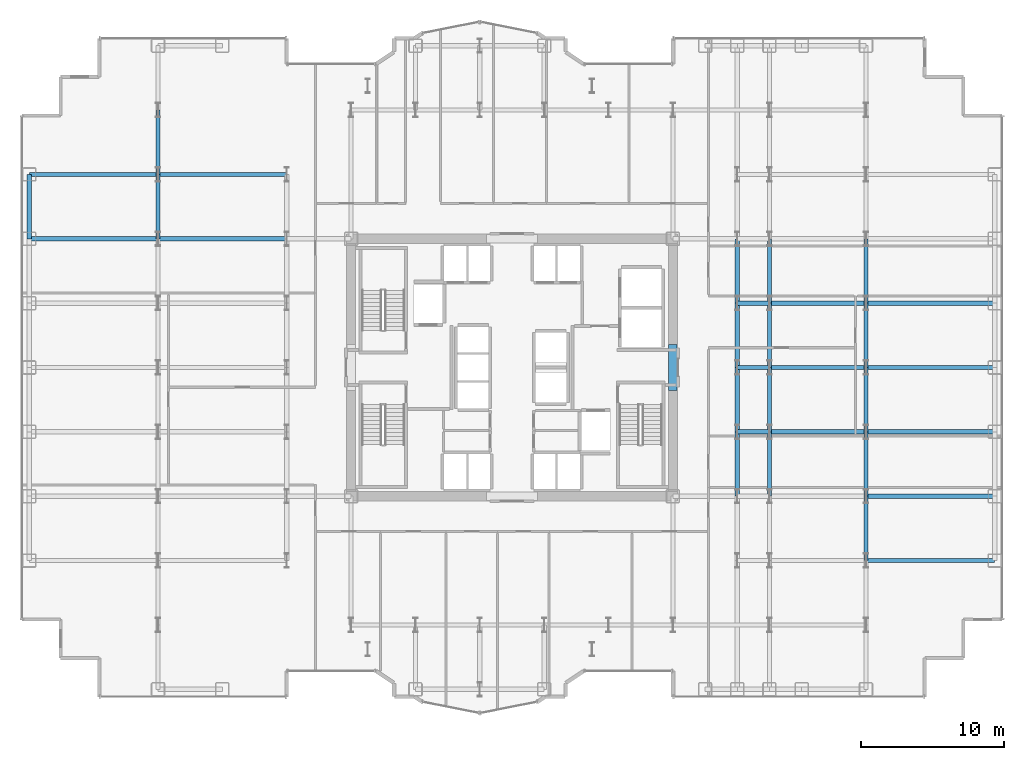
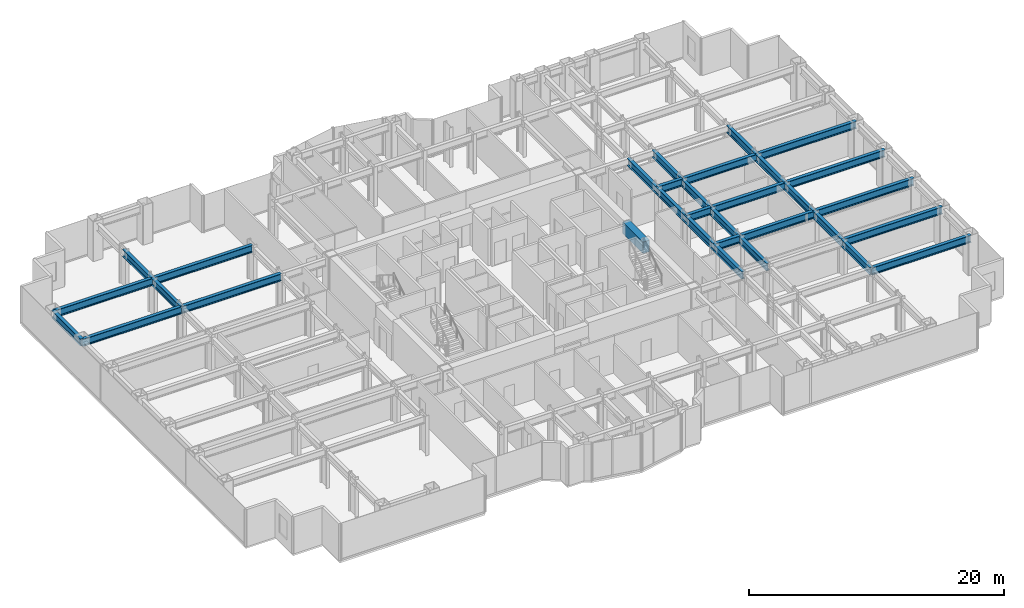
# One storey, part 8 of 26: 32 beams.
"""IFC4 building model written with IfcOpenShell, lengths in metres."""

from ifc_helpers import new_model, si_unit, direction, frame, origin, origin_2d, place, context, subcontext, project, spatial, rectangle, i_section, extrude, source, transform, mapped, material, material_profile, profile_set, type_object, element, save


model = new_model("IFC4")

# Units and contexts
model_context = context("Model", 3, precision=1e-05, world=origin(), true_north=direction((0.0, 1.0)))
body_context = subcontext(model_context, "Body", "Model", "MODEL_VIEW")
ifc_project = project(units=[si_unit("LENGTHUNIT", "METRE"), si_unit("AREAUNIT", "SQUARE_METRE"), si_unit("VOLUMEUNIT", "CUBIC_METRE"), si_unit("PLANEANGLEUNIT", "RADIAN"), si_unit("MASSUNIT", "GRAM", prefix="KILO")], contexts=[model_context])

# Site, building, storey
site_placement = place(None, origin())
site = spatial("IfcSite", under=ifc_project, at=site_placement, CompositionType="ELEMENT")
building_placement = place(site_placement, origin())
building = spatial("IfcBuilding", under=site, at=building_placement, Name="Nefas-Gora Pilgrimage Tower", CompositionType="ELEMENT")
storey_placement = place(building_placement, frame((0.0, 0.0, 40.60009765625)))
storey = spatial("IfcBuildingStorey", under=building, at=storey_placement, Name="L08", CompositionType="ELEMENT", Elevation=40.60009765625)

# Beams
ifc_material_1 = material(Name="Concrete C60/75", Category="concrete")
ifc_material_profile_1 = material_profile(ifc_material_1, rectangle(XDim=0.60009765625, YDim=1.10009765625, at=origin_2d()), Name="RC 600x1100")
ifc_profile_set_1 = profile_set([ifc_material_profile_1], Name="Concrete C60/75")
beam_type_1 = type_object("IfcBeamType", Name="BM-LIN-RC1100", PredefinedType="LINTEL", material=ifc_profile_set_1)
shared_shape_1 = source(origin(), body_context, "Body", "SweptSolid", [
    extrude(rectangle(XDim=0.60009765625, YDim=1.10009765625, at=origin_2d()), origin(), (0.0, 0.0, 1.0), 3.2001953125),
])
beam_1_placement = place(storey_placement, frame((11.25, -1.60009765625, 3.0), z_axis=(0.0, 1.0, 0.0), x_axis=(-1.0, 0.0, 0.0)))
element("IfcBeam", 1, at=beam_1_placement, inside=storey, type_object=beam_type_1, Name="L08 Core Coupling Lintel Beam E", PredefinedType="LINTEL", context=body_context, shape_type="MappedRepresentation", body=[
    mapped(shared_shape_1, transform((0.0, 0.0, 0.0), x_axis=(1.0, 0.0, 0.0), y_axis=(0.0, 1.0, 0.0), z_axis=(0.0, 0.0, 1.0), scale=1.0)),
])
ifc_material_2 = material(Name="Steel S355", Category="steel")
ifc_material_profile_2 = material_profile(ifc_material_2, i_section(OverallWidth=0.300048828125, OverallDepth=0.699951171875, WebThickness=0.01708984375, FlangeThickness=0.031982421875, FilletRadius=0.027099609375, at=origin_2d()), Name="HEB 700")
ifc_profile_set_2 = profile_set([ifc_material_profile_2], Name="Steel S355")
beam_type_2 = type_object("IfcBeamType", Name="BM-SPN-HEB600", PredefinedType="SPANDREL", material=ifc_profile_set_2)
shared_shape_2 = source(origin(), body_context, "Body", "SweptSolid", [
    extrude(i_section(OverallWidth=0.300048828125, OverallDepth=0.699951171875, WebThickness=0.01708984375, FlangeThickness=0.031982421875, FilletRadius=0.027099609375, at=origin_2d()), origin(), (0.0, 0.0, 1.0), 4.5),
])
beam_2_placement = place(storey_placement, frame((-33.75, 9.0, 3.199951171875), z_axis=(0.0, 1.0, 0.0), x_axis=(-1.0, 0.0, 0.0)))
element("IfcBeam", 2, at=beam_2_placement, inside=storey, type_object=beam_type_2, Name="L08 SP-01 beam", PredefinedType="SPANDREL", context=body_context, shape_type="MappedRepresentation", body=[
    mapped(shared_shape_2, transform((0.0, 0.0, 0.0), x_axis=(1.0, 0.0, 0.0), y_axis=(0.0, 1.0, 0.0), z_axis=(0.0, 0.0, 1.0), scale=1.0)),
])
ifc_material_profile_3 = material_profile(ifc_material_2, i_section(OverallWidth=0.300048828125, OverallDepth=0.699951171875, WebThickness=0.01708984375, FlangeThickness=0.031982421875, FilletRadius=0.027099609375, at=origin_2d()), Name="HEB 700")
ifc_profile_set_3 = profile_set([ifc_material_profile_3], Name="Steel S355")
beam_type_3 = type_object("IfcBeamType", Name="BM-GIR-HEB700", PredefinedType="BEAM", material=ifc_profile_set_3)
shared_shape_3 = source(origin(), body_context, "Body", "SweptSolid", [
    extrude(i_section(OverallWidth=0.300048828125, OverallDepth=0.699951171875, WebThickness=0.01708984375, FlangeThickness=0.031982421875, FilletRadius=0.027099609375, at=origin_2d()), origin(), (0.0, 0.0, 1.0), 9.0),
])
for number, where, z_axis, x_axis, name in (
    (3, (-33.75, 9.0, 3.199951171875), (1.0, 0.0, 0.0), (0.0, 1.0, 0.0), "L08 G-02 beam"),
    (4, (-33.75, 13.5, 3.199951171875), (1.0, 0.0, 0.0), (0.0, 1.0, 0.0), "L08 G-02 beam"),
    (5, (-24.75, 9.0, 3.199951171875), (1.0, 0.0, 0.0), (0.0, 1.0, 0.0), "L08 G-02 beam"),
    (6, (-24.75, 13.5, 3.199951171875), (1.0, 0.0, 0.0), (0.0, 1.0, 0.0), "L08 G-02 beam"),
    (7, (24.75, -13.5, 3.199951171875), (1.0, 0.0, 0.0), (0.0, 1.0, 0.0), "L08 G-02 beam"),
    (8, (24.75, -9.0, 3.199951171875), (1.0, 0.0, 0.0), (0.0, 1.0, 0.0), "L08 G-02 beam"),
    (9, (24.75, -4.5, 3.199951171875), (1.0, 0.0, 0.0), (0.0, 1.0, 0.0), "L08 G-02 beam"),
    (10, (24.75, 0.0, 3.199951171875), (1.0, 0.0, 0.0), (0.0, 1.0, 0.0), "L08 G-02 beam"),
    (11, (24.75, 4.5, 3.199951171875), (1.0, 0.0, 0.0), (0.0, 1.0, 0.0), "L08 G-02 beam"),
):
    element("IfcBeam", number, at=place(storey_placement, frame(where, z_axis=z_axis, x_axis=x_axis)), inside=storey, type_object=beam_type_3, Name=name, PredefinedType="BEAM", context=body_context, shape_type="MappedRepresentation", body=[
        mapped(shared_shape_3, transform((0.0, 0.0, 0.0), x_axis=(1.0, 0.0, 0.0), y_axis=(0.0, 1.0, 0.0), z_axis=(0.0, 0.0, 1.0), scale=1.0)),
    ])
shared_shape_4 = source(origin(), body_context, "Body", "SweptSolid", [
    extrude(i_section(OverallWidth=0.300048828125, OverallDepth=0.699951171875, WebThickness=0.01708984375, FlangeThickness=0.031982421875, FilletRadius=0.027099609375, at=origin_2d()), origin(), (0.0, 0.0, 1.0), 4.5),
])
for number, where, z_axis, x_axis, name in (
    (12, (-24.75, 9.0, 3.199951171875), (0.0, 1.0, 0.0), (-1.0, 0.0, 0.0), "L08 G-02 beam"),
    (13, (-24.75, 13.5, 3.199951171875), (0.0, 1.0, 0.0), (-1.0, 0.0, 0.0), "L08 G-02 beam"),
    (14, (15.75, -9.0, 3.199951171875), (0.0, 1.0, 0.0), (-1.0, 0.0, 0.0), "L08 G-02 beam"),
    (15, (15.75, -4.5, 3.199951171875), (0.0, 1.0, 0.0), (-1.0, 0.0, 0.0), "L08 G-02 beam"),
    (16, (15.75, 0.0, 3.199951171875), (0.0, 1.0, 0.0), (-1.0, 0.0, 0.0), "L08 G-02 beam"),
    (17, (15.75, 4.5, 3.199951171875), (0.0, 1.0, 0.0), (-1.0, 0.0, 0.0), "L08 G-02 beam"),
    (18, (18.0, -9.0, 3.199951171875), (0.0, 1.0, 0.0), (-1.0, 0.0, 0.0), "L08 G-02 beam"),
    (19, (18.0, -4.5, 3.199951171875), (0.0, 1.0, 0.0), (-1.0, 0.0, 0.0), "L08 G-02 beam"),
    (20, (18.0, 0.0, 3.199951171875), (0.0, 1.0, 0.0), (-1.0, 0.0, 0.0), "L08 G-02 beam"),
    (21, (18.0, 4.5, 3.199951171875), (0.0, 1.0, 0.0), (-1.0, 0.0, 0.0), "L08 G-02 beam"),
    (22, (24.75, -13.5, 3.199951171875), (0.0, 1.0, 0.0), (-1.0, 0.0, 0.0), "L08 G-02 beam"),
    (23, (24.75, -9.0, 3.199951171875), (0.0, 1.0, 0.0), (-1.0, 0.0, 0.0), "L08 G-02 beam"),
    (24, (24.75, -4.5, 3.199951171875), (0.0, 1.0, 0.0), (-1.0, 0.0, 0.0), "L08 G-02 beam"),
    (25, (24.75, 0.0, 3.199951171875), (0.0, 1.0, 0.0), (-1.0, 0.0, 0.0), "L08 G-02 beam"),
    (26, (24.75, 4.5, 3.199951171875), (0.0, 1.0, 0.0), (-1.0, 0.0, 0.0), "L08 G-02 beam"),
):
    element("IfcBeam", number, at=place(storey_placement, frame(where, z_axis=z_axis, x_axis=x_axis)), inside=storey, type_object=beam_type_3, Name=name, PredefinedType="BEAM", context=body_context, shape_type="MappedRepresentation", body=[
        mapped(shared_shape_4, transform((0.0, 0.0, 0.0), x_axis=(1.0, 0.0, 0.0), y_axis=(0.0, 1.0, 0.0), z_axis=(0.0, 0.0, 1.0), scale=1.0)),
    ])
shared_shape_5 = source(origin(), body_context, "Body", "SweptSolid", [
    extrude(i_section(OverallWidth=0.300048828125, OverallDepth=0.699951171875, WebThickness=0.01708984375, FlangeThickness=0.031982421875, FilletRadius=0.027099609375, at=origin_2d()), origin(), (0.0, 0.0, 1.0), 6.75),
])
for number, where, z_axis, x_axis, name in (
    (27, (18.0, -4.5, 3.199951171875), (1.0, 0.0, 0.0), (0.0, 1.0, 0.0), "L08 G-02 beam"),
    (28, (18.0, 0.0, 3.199951171875), (1.0, 0.0, 0.0), (0.0, 1.0, 0.0), "L08 G-02 beam"),
    (29, (18.0, 4.5, 3.199951171875), (1.0, 0.0, 0.0), (0.0, 1.0, 0.0), "L08 G-02 beam"),
):
    element("IfcBeam", number, at=place(storey_placement, frame(where, z_axis=z_axis, x_axis=x_axis)), inside=storey, type_object=beam_type_3, Name=name, PredefinedType="BEAM", context=body_context, shape_type="MappedRepresentation", body=[
        mapped(shared_shape_5, transform((0.0, 0.0, 0.0), x_axis=(1.0, 0.0, 0.0), y_axis=(0.0, 1.0, 0.0), z_axis=(0.0, 0.0, 1.0), scale=1.0)),
    ])
shared_shape_6 = source(origin(), body_context, "Body", "SweptSolid", [
    extrude(i_section(OverallWidth=0.300048828125, OverallDepth=0.699951171875, WebThickness=0.01708984375, FlangeThickness=0.031982421875, FilletRadius=0.027099609375, at=origin_2d()), origin(), (0.0, 0.0, 1.0), 2.25),
])
for number, where, z_axis, x_axis, name in (
    (30, (15.75, -4.5, 3.199951171875), (1.0, 0.0, 0.0), (0.0, 1.0, 0.0), "L08 G-02 beam"),
    (31, (15.75, 0.0, 3.199951171875), (1.0, 0.0, 0.0), (0.0, 1.0, 0.0), "L08 G-02 beam"),
    (32, (15.75, 4.5, 3.199951171875), (1.0, 0.0, 0.0), (0.0, 1.0, 0.0), "L08 G-02 beam"),
):
    element("IfcBeam", number, at=place(storey_placement, frame(where, z_axis=z_axis, x_axis=x_axis)), inside=storey, type_object=beam_type_3, Name=name, PredefinedType="BEAM", context=body_context, shape_type="MappedRepresentation", body=[
        mapped(shared_shape_6, transform((0.0, 0.0, 0.0), x_axis=(1.0, 0.0, 0.0), y_axis=(0.0, 1.0, 0.0), z_axis=(0.0, 0.0, 1.0), scale=1.0)),
    ])

save(model, "model.ifc")
